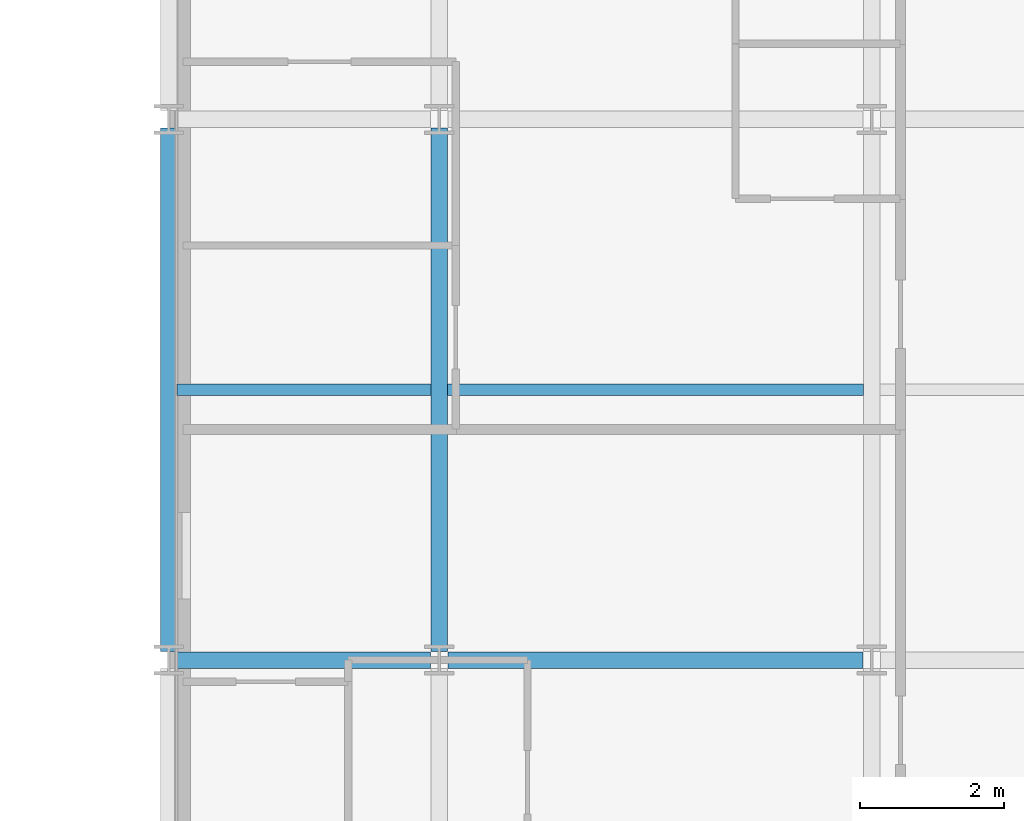
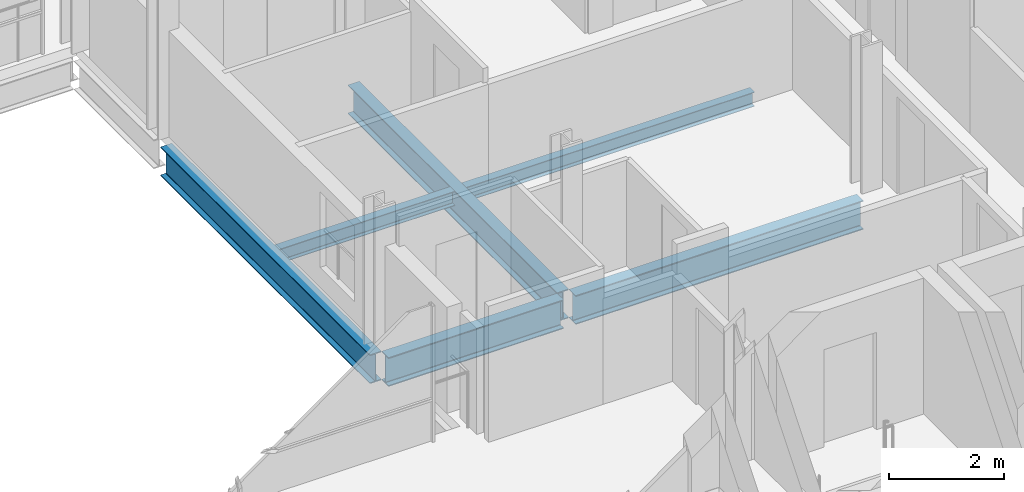
# One storey, part 16 of 41: 6 beams.
"""IFC4 building model written with IfcOpenShell, lengths in metres."""

from ifc_helpers import new_model, si_unit, direction, frame, origin, origin_2d, place, context, subcontext, project, spatial, i_section, extrude, material, material_profile, profile_set, type_object, element, save


model = new_model("IFC4")

# Units and contexts
model_context = context("Model", 3, precision=1e-05, world=origin(), true_north=direction((0.0, 1.0)))
body_context = subcontext(model_context, "Body", "Model", "MODEL_VIEW")
ifc_project = project(units=[si_unit("LENGTHUNIT", "METRE"), si_unit("AREAUNIT", "SQUARE_METRE"), si_unit("VOLUMEUNIT", "CUBIC_METRE"), si_unit("PLANEANGLEUNIT", "RADIAN"), si_unit("MASSUNIT", "GRAM", prefix="KILO")], contexts=[model_context])

# Site, building, storey
site_placement = place(None, origin())
site = spatial("IfcSite", under=ifc_project, at=site_placement, CompositionType="ELEMENT")
building_placement = place(site_placement, origin())
building = spatial("IfcBuilding", under=site, at=building_placement, Name="Brevholm Reach", CompositionType="ELEMENT")
storey_placement = place(building_placement, frame((0.0, 0.0, 106.60009765625)))
storey = spatial("IfcBuildingStorey", under=building, at=storey_placement, Name="L31", CompositionType="ELEMENT", Elevation=106.60009765625)

# Beams
ifc_material_1 = material(Name="Structural Steel S355J2", Category="steel")
ifc_material_profile_1 = material_profile(ifc_material_1, i_section(OverallWidth=0.1650390625, OverallDepth=0.303466796875, WebThickness=0.006103515625, FlangeThickness=0.01025390625, FilletRadius=0.0087890625, at=origin_2d()), Name="UKB 305x165x40")
ifc_profile_set_1 = profile_set([ifc_material_profile_1], Name="Structural Steel S355J2")
beam_type_1 = type_object("IfcBeamType", Name="BM-B305", PredefinedType="BEAM", material=ifc_profile_set_1)
beam_1_placement = place(storey_placement, frame((38.364501953125, 19.75, -0.371826171875), z_axis=(1.0, 0.0, 0.0), x_axis=(0.0, 1.0, 0.0)))
element("IfcBeam", 1, at=beam_1_placement, inside=storey, type_object=beam_type_1, Name="L31 Composite Secondary Floor Beam", PredefinedType="BEAM", context=body_context, shape_type="SweptSolid", body=[
    extrude(i_section(OverallWidth=0.1650390625, OverallDepth=0.303466796875, WebThickness=0.006103515625, FlangeThickness=0.01025390625, FilletRadius=0.0087890625, at=origin_2d()), origin(), (0.0, 0.0, 1.0), 3.52099609375),
])
beam_2_placement = place(storey_placement, frame((42.114501953125, 19.75, -0.371826171875), z_axis=(1.0, 0.0, 0.0), x_axis=(0.0, 1.0, 0.0)))
element("IfcBeam", 2, at=beam_2_placement, inside=storey, type_object=beam_type_1, Name="L31 Composite Secondary Floor Beam", PredefinedType="BEAM", context=body_context, shape_type="SweptSolid", body=[
    extrude(i_section(OverallWidth=0.1650390625, OverallDepth=0.303466796875, WebThickness=0.006103515625, FlangeThickness=0.01025390625, FilletRadius=0.0087890625, at=origin_2d()), origin(), (0.0, 0.0, 1.0), 5.77099609375),
])
ifc_material_2 = material(Name="Structural Steel S355J2", Category="steel")
ifc_material_profile_2 = material_profile(ifc_material_2, i_section(OverallWidth=0.22900390625, OverallDepth=0.6123046875, WebThickness=0.011962890625, FlangeThickness=0.01953125, FilletRadius=0.0126953125, at=origin_2d()), Name="UKB 610x229x125")
ifc_profile_set_2 = profile_set([ifc_material_profile_2], Name="Structural Steel S355J2")
beam_type_2 = type_object("IfcBeamType", Name="BM-SP610", PredefinedType="SPANDREL", material=ifc_profile_set_2)
beam_3_placement = place(storey_placement, frame((38.3701171875, 16.0, -0.526123046875), z_axis=(1.0, 0.0, 0.0), x_axis=(0.0, 1.0, 0.0)))
element("IfcBeam", 3, at=beam_3_placement, inside=storey, type_object=beam_type_2, Name="L31 SP-01 Framing Beam", PredefinedType="SPANDREL", context=body_context, shape_type="SweptSolid", body=[
    extrude(i_section(OverallWidth=0.22900390625, OverallDepth=0.6123046875, WebThickness=0.011962890625, FlangeThickness=0.01953125, FilletRadius=0.0126953125, at=origin_2d()), origin(), (0.0, 0.0, 1.0), 3.509765625),
])
beam_4_placement = place(storey_placement, frame((42.1201171875, 16.0, -0.526123046875), z_axis=(1.0, 0.0, 0.0), x_axis=(0.0, 1.0, 0.0)))
element("IfcBeam", 4, at=beam_4_placement, inside=storey, type_object=beam_type_2, Name="L31 SP-01 Framing Beam", PredefinedType="SPANDREL", context=body_context, shape_type="SweptSolid", body=[
    extrude(i_section(OverallWidth=0.22900390625, OverallDepth=0.6123046875, WebThickness=0.011962890625, FlangeThickness=0.01953125, FilletRadius=0.0126953125, at=origin_2d()), origin(), (0.0, 0.0, 1.0), 5.759765625),
])
for number, where, z_axis, x_axis, name in (
    (5, (38.25, 16.1201171875, -0.526123046875), (0.0, 1.0, 0.0), (-1.0, 0.0, 0.0), "L31 SP-01 Framing Beam"),
    (6, (42.0, 16.1201171875, -0.526123046875), (0.0, 1.0, 0.0), (-1.0, 0.0, 0.0), "L31 SP-01 Framing Beam"),
):
    element("IfcBeam", number, at=place(storey_placement, frame(where, z_axis=z_axis, x_axis=x_axis)), inside=storey, type_object=beam_type_2, Name=name, PredefinedType="SPANDREL", context=body_context, shape_type="SweptSolid", body=[
        extrude(i_section(OverallWidth=0.22900390625, OverallDepth=0.6123046875, WebThickness=0.011962890625, FlangeThickness=0.01953125, FilletRadius=0.0126953125, at=origin_2d()), origin(), (0.0, 0.0, 1.0), 7.259765625),
    ])

save(model, "model.ifc")
